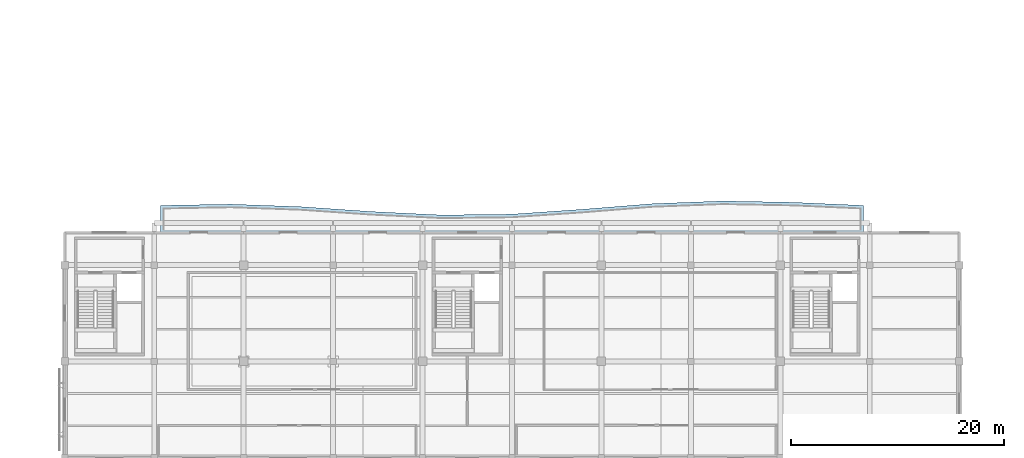
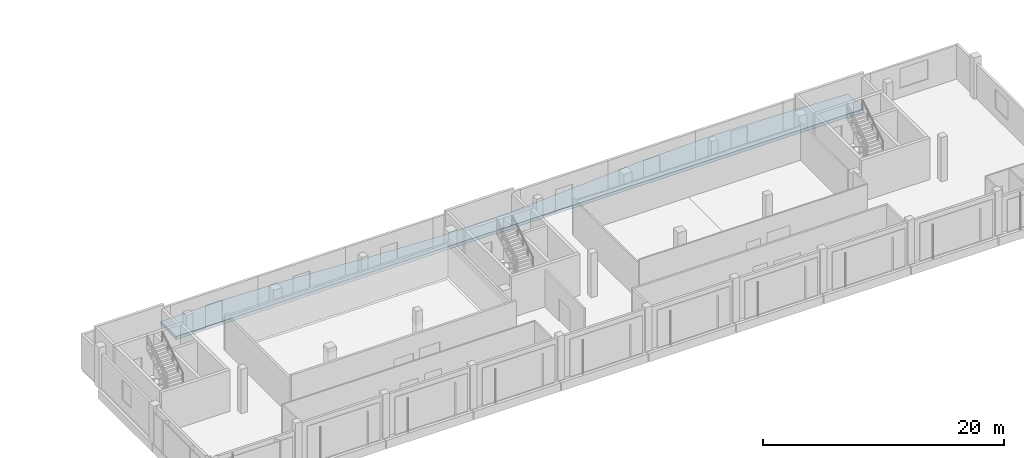
# One storey, part 10 of 28: 1 slab.
"""IFC4 building model written with IfcOpenShell, lengths in metres."""

from ifc_helpers import new_model, si_unit, direction, frame, origin, place, context, subcontext, project, spatial, polyline, outline, extrude, material, layer, layer_set, type_object, element, save


model = new_model("IFC4")

# Units and contexts
model_context = context("Model", 3, precision=1e-05, world=origin(), true_north=direction((0.0, 1.0)))
body_context = subcontext(model_context, "Body", "Model", "MODEL_VIEW")
ifc_project = project(units=[si_unit("LENGTHUNIT", "METRE"), si_unit("AREAUNIT", "SQUARE_METRE"), si_unit("VOLUMEUNIT", "CUBIC_METRE"), si_unit("PLANEANGLEUNIT", "RADIAN"), si_unit("MASSUNIT", "GRAM", prefix="KILO")], contexts=[model_context])

# Site, building, storey
site_placement = place(None, origin())
site = spatial("IfcSite", under=ifc_project, at=site_placement, CompositionType="ELEMENT")
building_placement = place(site_placement, origin())
building = spatial("IfcBuilding", under=site, at=building_placement, Name="Khurvash Pelagic Aquarium", CompositionType="ELEMENT")
storey_placement = place(building_placement, frame((0.0, 0.0, 20.10009765625)))
storey = spatial("IfcBuildingStorey", under=building, at=storey_placement, Name="L04", CompositionType="ELEMENT", Elevation=20.10009765625)

# Slab
ifc_material = material(Name="Water-retaining concrete C40/50", Category="concrete")
ifc_layer = layer(ifc_material, 0.320068359375)
ifc_layer_set = layer_set([ifc_layer], Name="Water-retaining concrete C40/50")
slab_type = type_object("IfcSlabType", Name="TR-320", PredefinedType="FLOOR", material=ifc_layer_set)
slab_placement = place(storey_placement, frame((0.0, 0.0, -0.320068359375)))
element("IfcSlab", 1, at=slab_placement, inside=storey, type_object=slab_type, Name="L04 Planted Monsoon Terrace Slab TR-320 TERR_L04_S", PredefinedType="FLOOR", context=body_context, shape_type="SweptSolid", body=[
    extrude(outline(polyline([(34.199951171875, 23.75), (53.199951171875, 23.75), (81.199951171875, 23.75), (100.199951171875, 23.75), (100.199951171875, 26.300048828125), (93.60009765625, 26.592041015625), (87.0, 26.717041015625), (80.39990234375, 26.464111328125), (73.800048828125, 25.93701171875), (67.199951171875, 25.47998046875), (60.60009765625, 25.40087890625), (54.0, 25.72607421875), (47.39990234375, 26.180908203125), (40.800048828125, 26.41796875), (34.199951171875, 26.300048828125), (34.199951171875, 23.75)])), origin(), (0.0, 0.0, 1.0), 0.320068359375),
])

save(model, "model.ifc")
